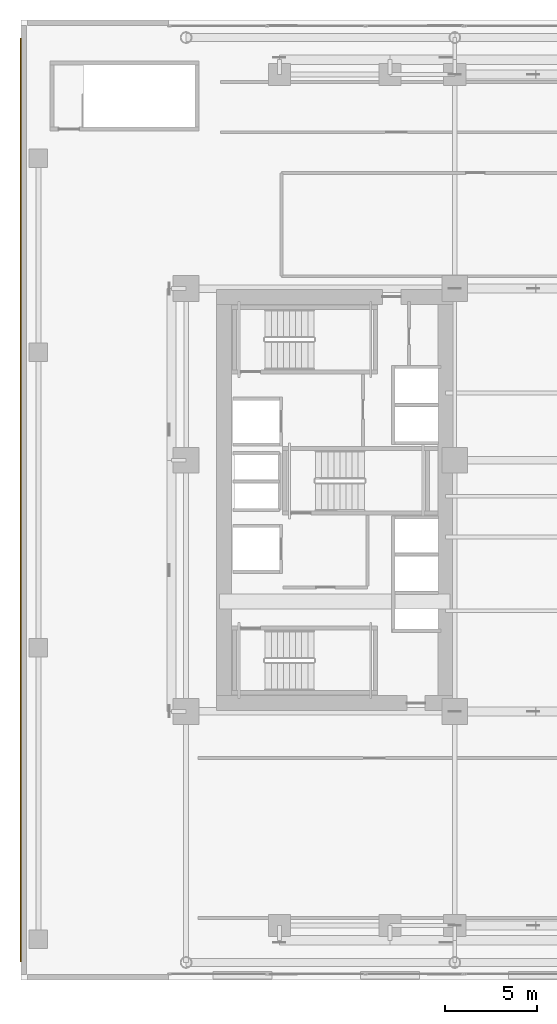
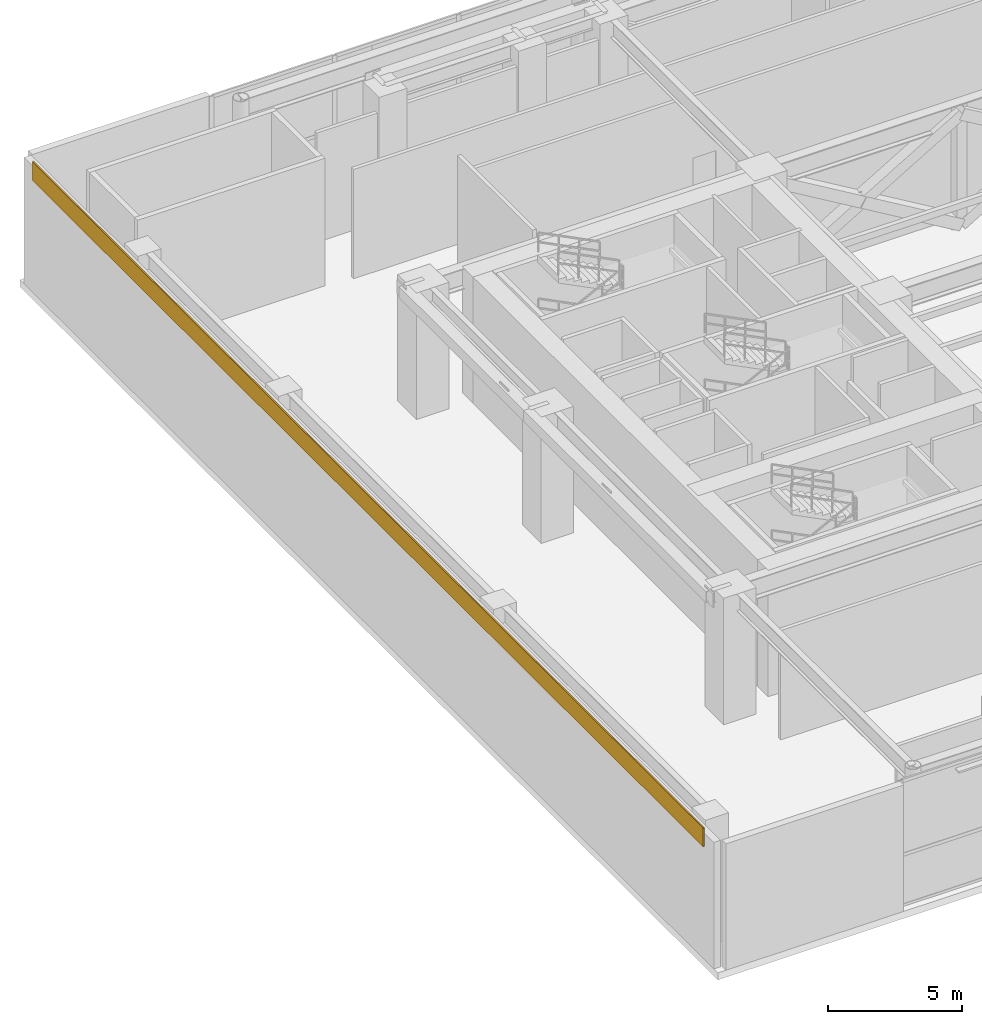
# One storey, part 26 of 29: 1 covering.
"""IFC4 building model written with IfcOpenShell, lengths in metres."""

from ifc_helpers import new_model, si_unit, direction, frame, origin, origin_2d, place, context, subcontext, project, spatial, rectangle, extrude, source, transform, mapped, material, layer, layer_set, type_object, element, save


model = new_model("IFC4")

# Units and contexts
model_context = context("Model", 3, precision=1e-05, world=origin(), true_north=direction((0.0, 1.0)))
body_context = subcontext(model_context, "Body", "Model", "MODEL_VIEW")
ifc_project = project(units=[si_unit("LENGTHUNIT", "METRE"), si_unit("AREAUNIT", "SQUARE_METRE"), si_unit("VOLUMEUNIT", "CUBIC_METRE"), si_unit("PLANEANGLEUNIT", "RADIAN"), si_unit("MASSUNIT", "GRAM", prefix="KILO")], contexts=[model_context])

# Site, building, storey
site_placement = place(None, origin())
site = spatial("IfcSite", under=ifc_project, at=site_placement, CompositionType="ELEMENT")
building_placement = place(site_placement, origin())
building = spatial("IfcBuilding", under=site, at=building_placement, Name="Ocotamira Hotel", CompositionType="ELEMENT")
storey_placement = place(building_placement, frame((0.0, 0.0, 28.800048828125)))
storey = spatial("IfcBuildingStorey", under=building, at=storey_placement, Name="L06", CompositionType="ELEMENT", Elevation=28.800048828125)

# Covering
ifc_material = material(Name="Pale-metal champagne aluminium rainscreen cladding", Category="aluminium")
ifc_layer = layer(ifc_material, 0.06005859375)
ifc_layer_set = layer_set([ifc_layer], Name="Pale-metal champagne aluminium rainscreen cladding")
covering_type = type_object("IfcCoveringType", Name="COV-CLAD-60", PredefinedType="CLADDING", material=ifc_layer_set)
shared_shape = source(origin(), body_context, "Body", "SweptSolid", [
    extrude(rectangle(XDim=0.06005859375, YDim=50.0, at=origin_2d()), origin(), (0.0, 0.0, 1.0), 0.85009765625),
])
covering_placement = place(storey_placement, frame((-0.02001953125, 26.0, 5.14990234375), z_axis=(0.0, 0.0, 1.0), x_axis=(1.0, 0.0, 0.0)))
element("IfcCovering", 1, at=covering_placement, inside=storey, type_object=covering_type, Name="L06 West Spandrel Cladding", PredefinedType="CLADDING", context=body_context, shape_type="MappedRepresentation", body=[
    mapped(shared_shape, transform((0.0, 0.0, 0.0), scale=1.0)),
])

save(model, "model.ifc")
